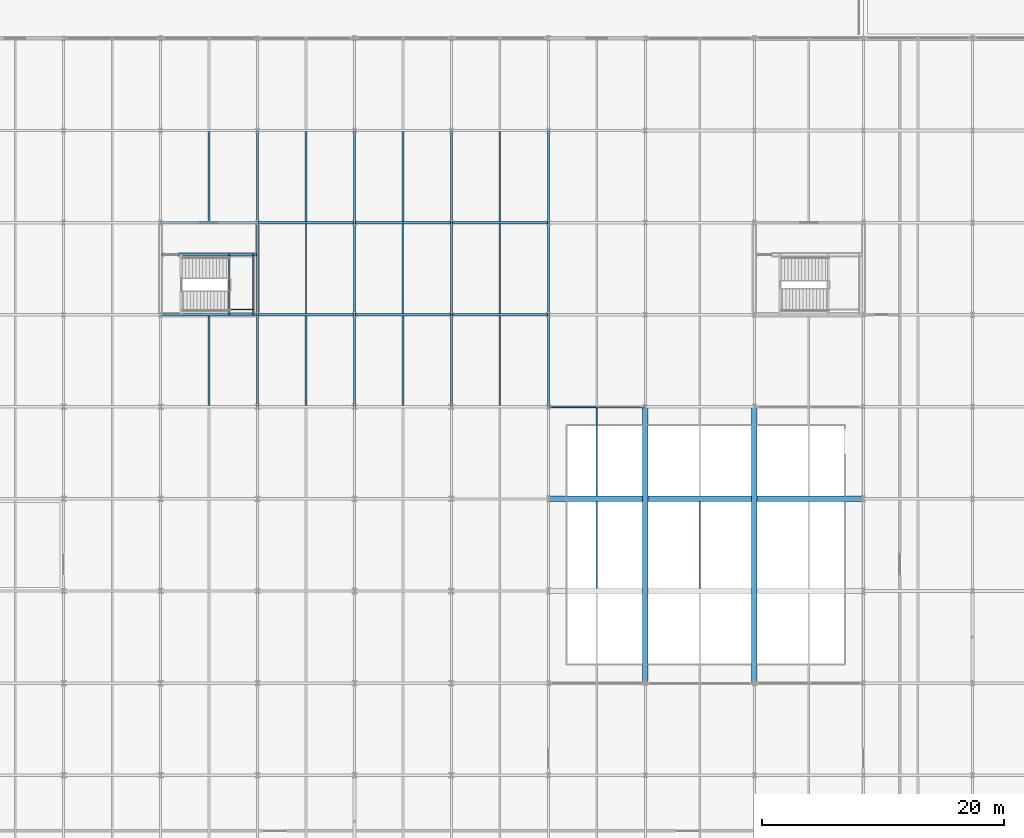
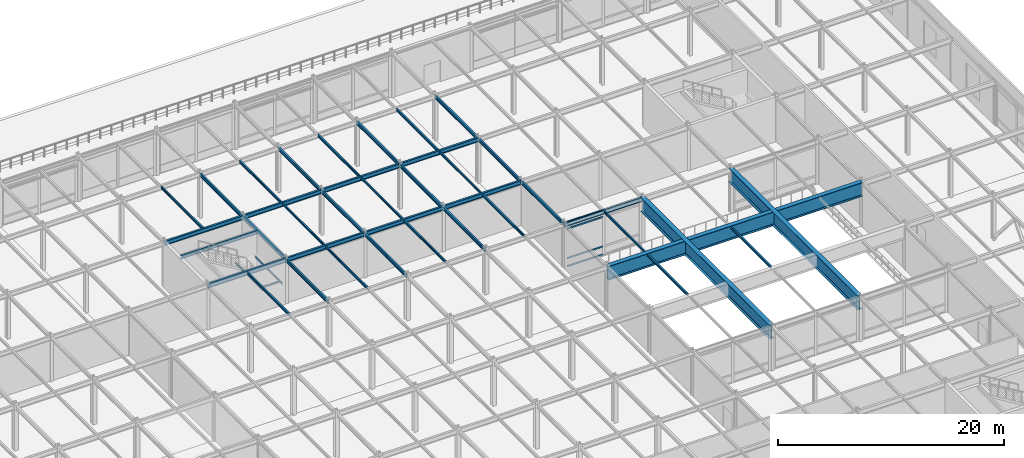
# One storey, part 32 of 79: 42 beams, 4 members, 1 element without a shape of its own.
"""IFC4 building model written with IfcOpenShell, lengths in metres."""

from ifc_helpers import new_model, si_unit, direction, frame, origin, origin_2d, place, context, subcontext, project, spatial, hollow_rectangle, i_section, extrude, material, layer, layer_set, material_profile, profile_set, type_object, element, aggregate, save


model = new_model("IFC4")

# Units and contexts
model_context = context("Model", 3, precision=1e-05, world=origin(), true_north=direction((0.0, 1.0)))
body_context = subcontext(model_context, "Body", "Model", "MODEL_VIEW")
ifc_project = project(units=[si_unit("LENGTHUNIT", "METRE"), si_unit("AREAUNIT", "SQUARE_METRE"), si_unit("VOLUMEUNIT", "CUBIC_METRE"), si_unit("PLANEANGLEUNIT", "RADIAN"), si_unit("MASSUNIT", "GRAM", prefix="KILO")], contexts=[model_context])

# Site, building, storey
site_placement = place(None, origin())
site = spatial("IfcSite", under=ifc_project, at=site_placement, CompositionType="ELEMENT")
building_placement = place(site_placement, origin())
building = spatial("IfcBuilding", under=site, at=building_placement, Name="Shalkamar Park Central Library", CompositionType="ELEMENT")
storey_placement = place(building_placement, frame((0.0, 0.0, 10.5)))
storey = spatial("IfcBuildingStorey", under=building, at=storey_placement, Name="L03", CompositionType="ELEMENT", Elevation=10.5)

# Beams
ifc_material_1 = material(Name="Steel S355", Category="steel")
ifc_material_profile_1 = material_profile(ifc_material_1, i_section(OverallWidth=0.10009765625, OverallDepth=0.199951171875, WebThickness=0.005615234375, FlangeThickness=0.008544921875, FilletRadius=0.011962890625, at=origin_2d()), Name="IPE 200")
ifc_profile_set_1 = profile_set([ifc_material_profile_1], Name="Steel S355")
beam_type_1 = type_object("IfcBeamType", Name="Composite Floor Joist IPE200", PredefinedType="JOIST", material=ifc_profile_set_1)
for number, where, z_axis, x_axis, name in (
    (1, (202.675048828125, 300.800048828125, 2.169921875), (0.0, 1.0, 0.0), (-1.0, 0.0, 0.0), "Stair Half-Landing Beam ST-P7-L03-1"),
    (2, (204.64501953125, 300.800048828125, 2.169921875), (0.0, 1.0, 0.0), (-1.0, 0.0, 0.0), "Stair Half-Landing Beam ST-P7-L03-2"),
):
    element("IfcBeam", number, at=place(storey_placement, frame(where, z_axis=z_axis, x_axis=x_axis)), inside=storey, type_object=beam_type_1, Name=name, PredefinedType="JOIST", context=body_context, shape_type="SweptSolid", body=[
        extrude(i_section(OverallWidth=0.10009765625, OverallDepth=0.199951171875, WebThickness=0.005615234375, FlangeThickness=0.008544921875, FilletRadius=0.011962890625, at=origin_2d()), origin(), (0.0, 0.0, 1.0), 4.949951171875),
    ])
beam_1_placement = place(storey_placement, frame((202.675048828125, 301.22509765625, 2.169921875), z_axis=(1.0, 0.0, 0.0), x_axis=(0.0, 1.0, 0.0)))
element("IfcBeam", 3, at=beam_1_placement, inside=storey, type_object=beam_type_1, Name="Stair Half-Landing Cross Tie ST-P7-L03-3", PredefinedType="JOIST", context=body_context, shape_type="SweptSolid", body=[
    extrude(i_section(OverallWidth=0.10009765625, OverallDepth=0.199951171875, WebThickness=0.005615234375, FlangeThickness=0.008544921875, FilletRadius=0.011962890625, at=origin_2d()), origin(), (0.0, 0.0, 1.0), 1.969970703125),
])
ifc_material_profile_2 = material_profile(ifc_material_1, i_section(OverallWidth=0.1201171875, OverallDepth=0.239990234375, WebThickness=0.006103515625, FlangeThickness=0.009765625, FilletRadius=0.014892578125, at=origin_2d()), Name="IPE 240")
ifc_profile_set_2 = profile_set([ifc_material_profile_2], Name="Steel S355")
beam_type_2 = type_object("IfcBeamType", Name="Composite Floor Joist IPE240", PredefinedType="JOIST", material=ifc_profile_set_2)
for number, where, z_axis, x_axis, name in (
    (4, (209.0, 300.89306640625, 4.719970703125), (0.0, 1.0, 0.0), (-1.0, 0.0, 0.0), "Composite Joist 12/J-1 (L03)"),
    (5, (217.0, 300.89306640625, 4.719970703125), (0.0, 1.0, 0.0), (-1.0, 0.0, 0.0), "Composite Joist 13/J-1 (L03)"),
    (6, (225.0, 300.89306640625, 4.719970703125), (0.0, 1.0, 0.0), (-1.0, 0.0, 0.0), "Composite Joist 14/J-1 (L03)"),
):
    element("IfcBeam", number, at=place(storey_placement, frame(where, z_axis=z_axis, x_axis=x_axis)), inside=storey, type_object=beam_type_2, Name=name, PredefinedType="JOIST", context=body_context, shape_type="SweptSolid", body=[
        extrude(i_section(OverallWidth=0.1201171875, OverallDepth=0.239990234375, WebThickness=0.006103515625, FlangeThickness=0.009765625, FilletRadius=0.014892578125, at=origin_2d()), origin(), (0.0, 0.0, 1.0), 7.413818359375),
    ])
beam_2_placement = place(storey_placement, frame((233.0, 285.822998046875, 4.719970703125), z_axis=(0.0, 1.0, 0.0), x_axis=(-1.0, 0.0, 0.0)))
element("IfcBeam", 7, at=beam_2_placement, inside=storey, type_object=beam_type_2, Name="Composite Joist 15/G-1 (L03)", PredefinedType="JOIST", context=body_context, shape_type="SweptSolid", body=[
    extrude(i_section(OverallWidth=0.1201171875, OverallDepth=0.239990234375, WebThickness=0.006103515625, FlangeThickness=0.009765625, FilletRadius=0.014892578125, at=origin_2d()), origin(), (0.0, 0.0, 1.0), 7.283935546875),
])
ifc_material_profile_3 = material_profile(ifc_material_1, i_section(OverallWidth=0.135009765625, OverallDepth=0.27001953125, WebThickness=0.006591796875, FlangeThickness=0.01025390625, FilletRadius=0.014892578125, at=origin_2d()), Name="IPE 270")
ifc_profile_set_3 = profile_set([ifc_material_profile_3], Name="Steel S355")
beam_type_3 = type_object("IfcBeamType", Name="Composite Floor Joist IPE270", PredefinedType="JOIST", material=ifc_profile_set_3)
beam_3_placement = place(storey_placement, frame((201.0, 293.298095703125, 4.705078125), z_axis=(0.0, 1.0, 0.0), x_axis=(-1.0, 0.0, 0.0)))
element("IfcBeam", 8, at=beam_3_placement, inside=storey, type_object=beam_type_3, Name="Composite Joist 11/H-1 (L03)", PredefinedType="JOIST", context=body_context, shape_type="SweptSolid", body=[
    extrude(i_section(OverallWidth=0.135009765625, OverallDepth=0.27001953125, WebThickness=0.006591796875, FlangeThickness=0.01025390625, FilletRadius=0.014892578125, at=origin_2d()), origin(), (0.0, 0.0, 1.0), 7.408935546875),
])
beam_4_placement = place(storey_placement, frame((201.0, 308.492919921875, 4.705078125), z_axis=(0.0, 1.0, 0.0), x_axis=(-1.0, 0.0, 0.0)))
element("IfcBeam", 9, at=beam_4_placement, inside=storey, type_object=beam_type_3, Name="Composite Joist 11/K-1 (L03)", PredefinedType="JOIST", context=body_context, shape_type="SweptSolid", body=[
    extrude(i_section(OverallWidth=0.135009765625, OverallDepth=0.27001953125, WebThickness=0.006591796875, FlangeThickness=0.01025390625, FilletRadius=0.014892578125, at=origin_2d()), origin(), (0.0, 0.0, 1.0), 7.4140625),
])
beam_5_placement = place(storey_placement, frame((209.0, 293.298095703125, 4.705078125), z_axis=(0.0, 1.0, 0.0), x_axis=(-1.0, 0.0, 0.0)))
element("IfcBeam", 10, at=beam_5_placement, inside=storey, type_object=beam_type_3, Name="Composite Joist 12/H-1 (L03)", PredefinedType="JOIST", context=body_context, shape_type="SweptSolid", body=[
    extrude(i_section(OverallWidth=0.135009765625, OverallDepth=0.27001953125, WebThickness=0.006591796875, FlangeThickness=0.01025390625, FilletRadius=0.014892578125, at=origin_2d()), origin(), (0.0, 0.0, 1.0), 7.408935546875),
])
beam_6_placement = place(storey_placement, frame((209.0, 308.492919921875, 4.705078125), z_axis=(0.0, 1.0, 0.0), x_axis=(-1.0, 0.0, 0.0)))
element("IfcBeam", 11, at=beam_6_placement, inside=storey, type_object=beam_type_3, Name="Composite Joist 12/K-1 (L03)", PredefinedType="JOIST", context=body_context, shape_type="SweptSolid", body=[
    extrude(i_section(OverallWidth=0.135009765625, OverallDepth=0.27001953125, WebThickness=0.006591796875, FlangeThickness=0.01025390625, FilletRadius=0.014892578125, at=origin_2d()), origin(), (0.0, 0.0, 1.0), 7.4140625),
])
beam_7_placement = place(storey_placement, frame((217.0, 293.298095703125, 4.705078125), z_axis=(0.0, 1.0, 0.0), x_axis=(-1.0, 0.0, 0.0)))
element("IfcBeam", 12, at=beam_7_placement, inside=storey, type_object=beam_type_3, Name="Composite Joist 13/H-1 (L03)", PredefinedType="JOIST", context=body_context, shape_type="SweptSolid", body=[
    extrude(i_section(OverallWidth=0.135009765625, OverallDepth=0.27001953125, WebThickness=0.006591796875, FlangeThickness=0.01025390625, FilletRadius=0.014892578125, at=origin_2d()), origin(), (0.0, 0.0, 1.0), 7.408935546875),
])
for number, where, z_axis, x_axis, name in (
    (13, (217.0, 308.492919921875, 4.705078125), (0.0, 1.0, 0.0), (-1.0, 0.0, 0.0), "Composite Joist 13/K-1 (L03)"),
    (14, (225.0, 293.29296875, 4.705078125), (0.0, 1.0, 0.0), (-1.0, 0.0, 0.0), "Composite Joist 14/H-1 (L03)"),
    (15, (225.0, 308.492919921875, 4.705078125), (0.0, 1.0, 0.0), (-1.0, 0.0, 0.0), "Composite Joist 14/K-1 (L03)"),
):
    element("IfcBeam", number, at=place(storey_placement, frame(where, z_axis=z_axis, x_axis=x_axis)), inside=storey, type_object=beam_type_3, Name=name, PredefinedType="JOIST", context=body_context, shape_type="SweptSolid", body=[
        extrude(i_section(OverallWidth=0.135009765625, OverallDepth=0.27001953125, WebThickness=0.006591796875, FlangeThickness=0.01025390625, FilletRadius=0.014892578125, at=origin_2d()), origin(), (0.0, 0.0, 1.0), 7.4140625),
    ])
for number, where, z_axis, x_axis, name in (
    (16, (233.0, 278.222900390625, 4.705078125), (0.0, 1.0, 0.0), (-1.0, 0.0, 0.0), "Composite Joist 15/F-1 (L03)"),
    (17, (241.5, 278.222900390625, 4.705078125), (0.0, 1.0, 0.0), (-1.0, 0.0, 0.0), "Composite Joist 16/F-1 (L03)"),
):
    element("IfcBeam", number, at=place(storey_placement, frame(where, z_axis=z_axis, x_axis=x_axis)), inside=storey, type_object=beam_type_3, Name=name, PredefinedType="JOIST", context=body_context, shape_type="SweptSolid", body=[
        extrude(i_section(OverallWidth=0.135009765625, OverallDepth=0.27001953125, WebThickness=0.006591796875, FlangeThickness=0.01025390625, FilletRadius=0.014892578125, at=origin_2d()), origin(), (0.0, 0.0, 1.0), 7.154052734375),
    ])

# Curtain wall, members
ifc_material_2 = material(Name="Thermally broken aluminium and triple low-e curtain wall", Category="aluminium")
ifc_layer = layer(ifc_material_2, 0.27001953125)
ifc_layer_set = layer_set([ifc_layer], Name="AtriumGlazedScreen_123")
curtain_wall_type = type_object("IfcCurtainWallType", Name="Atrium Glazed Screen 123", PredefinedType="USERDEFINED", material=ifc_layer_set)
curtain_wall_placement = place(storey_placement, origin())
curtain_wall = element("IfcCurtainWall", 18, at=curtain_wall_placement, inside=storey, type_object=curtain_wall_type, Name="Atrium Glazed Screen CW-L03-180", ObjectType="ATRIUM GLAZED SCREEN", PredefinedType="USERDEFINED")
ifc_material_3 = material(Name="Aluminium 6060-T66", Category="aluminium")
ifc_material_profile_4 = material_profile(ifc_material_3, hollow_rectangle(XDim=0.06494140625, YDim=0.175048828125, WallThickness=0.00439453125, InnerFilletRadius=0.00439453125, OuterFilletRadius=0.0068359375, at=origin_2d()), Name="ALU 65x175x4.5")
ifc_profile_set_4 = profile_set([ifc_material_profile_4], Name="Aluminium 6060-T66")
member_type = type_object("IfcMemberType", Name="Curtain Wall Transom ALU65x175", PredefinedType="USERDEFINED", material=ifc_profile_set_4)
member_1_placement = place(storey_placement, frame((229.283935546875, 293.199951171875, 0.032470703125), z_axis=(1.0, 0.0, 0.0), x_axis=(0.0, 1.0, 0.0)))
member_1 = element("IfcMember", 19, at=member_1_placement, type_object=member_type, Name="CW-123 transom 1.1", ObjectType="TRANSOM", PredefinedType="USERDEFINED", context=body_context, shape_type="SweptSolid", body=[
    extrude(hollow_rectangle(XDim=0.06494140625, YDim=0.175048828125, WallThickness=0.00439453125, InnerFilletRadius=0.00439453125, OuterFilletRadius=0.0068359375, at=origin_2d()), origin(), (0.0, 0.0, 1.0), 3.68603515625),
])
member_2_placement = place(storey_placement, frame((229.283935546875, 293.199951171875, 0.89990234375), z_axis=(1.0, 0.0, 0.0), x_axis=(0.0, 1.0, 0.0)))
member_2 = element("IfcMember", 20, at=member_2_placement, type_object=member_type, Name="CW-123 transom 1.2", ObjectType="TRANSOM", PredefinedType="USERDEFINED", context=body_context, shape_type="SweptSolid", body=[
    extrude(hollow_rectangle(XDim=0.06494140625, YDim=0.175048828125, WallThickness=0.00439453125, InnerFilletRadius=0.00439453125, OuterFilletRadius=0.0068359375, at=origin_2d()), origin(), (0.0, 0.0, 1.0), 3.68603515625),
])
member_3_placement = place(storey_placement, frame((229.283935546875, 293.199951171875, 4.090087890625), z_axis=(1.0, 0.0, 0.0), x_axis=(0.0, 1.0, 0.0)))
member_3 = element("IfcMember", 21, at=member_3_placement, type_object=member_type, Name="CW-123 transom 1.3", ObjectType="TRANSOM", PredefinedType="USERDEFINED", context=body_context, shape_type="SweptSolid", body=[
    extrude(hollow_rectangle(XDim=0.06494140625, YDim=0.175048828125, WallThickness=0.00439453125, InnerFilletRadius=0.00439453125, OuterFilletRadius=0.0068359375, at=origin_2d()), origin(), (0.0, 0.0, 1.0), 3.68603515625),
])
member_4_placement = place(storey_placement, frame((229.283935546875, 293.199951171875, 4.8076171875), z_axis=(1.0, 0.0, 0.0), x_axis=(0.0, 1.0, 0.0)))
member_4 = element("IfcMember", 22, at=member_4_placement, type_object=member_type, Name="CW-123 transom 1.4", ObjectType="TRANSOM", PredefinedType="USERDEFINED", context=body_context, shape_type="SweptSolid", body=[
    extrude(hollow_rectangle(XDim=0.06494140625, YDim=0.175048828125, WallThickness=0.00439453125, InnerFilletRadius=0.00439453125, OuterFilletRadius=0.0068359375, at=origin_2d()), origin(), (0.0, 0.0, 1.0), 3.68603515625),
])
aggregate(curtain_wall, [member_1, member_2, member_3, member_4])

# Beams
ifc_material_profile_5 = material_profile(ifc_material_1, i_section(OverallWidth=0.449951171875, OverallDepth=1.5, WebThickness=0.02001953125, FlangeThickness=0.035888671875, FilletRadius=0.02392578125, at=origin_2d()), Name="PG 1500x450")
ifc_profile_set_5 = profile_set([ifc_material_profile_5], Name="Steel S355")
beam_type_4 = type_object("IfcBeamType", Name="Primary Girder HEB900", PredefinedType="BEAM", material=ifc_profile_set_5)
beam_8_placement = place(storey_placement, frame((229.0, 285.60009765625, 4.090087890625), z_axis=(1.0, 0.0, 0.0), x_axis=(0.0, 1.0, 0.0)))
element("IfcBeam", 23, at=beam_8_placement, inside=storey, type_object=beam_type_4, Name="Beam G:15-18 (L03)", PredefinedType="BEAM", context=body_context, shape_type="SweptSolid", body=[
    extrude(i_section(OverallWidth=0.449951171875, OverallDepth=1.5, WebThickness=0.02001953125, FlangeThickness=0.035888671875, FilletRadius=0.02392578125, at=origin_2d()), origin(), (0.0, 0.0, 1.0), 26.0),
])
for number, where, z_axis, x_axis, name in (
    (24, (237.0, 270.39990234375, 4.090087890625), (0.0, 1.0, 0.0), (-1.0, 0.0, 0.0), "Beam 16:E-H (L03)"),
    (25, (246.0, 270.39990234375, 4.090087890625), (0.0, 1.0, 0.0), (-1.0, 0.0, 0.0), "Beam 17:E-H (L03)"),
):
    element("IfcBeam", number, at=place(storey_placement, frame(where, z_axis=z_axis, x_axis=x_axis)), inside=storey, type_object=beam_type_4, Name=name, PredefinedType="BEAM", context=body_context, shape_type="SweptSolid", body=[
        extrude(i_section(OverallWidth=0.449951171875, OverallDepth=1.5, WebThickness=0.02001953125, FlangeThickness=0.035888671875, FilletRadius=0.02392578125, at=origin_2d()), origin(), (0.0, 0.0, 1.0), 22.800048828125),
    ])
ifc_material_profile_6 = material_profile(ifc_material_1, i_section(OverallWidth=0.169921875, OverallDepth=0.360107421875, WebThickness=0.008056640625, FlangeThickness=0.0126953125, FilletRadius=0.01806640625, at=origin_2d()), Name="IPE 360")
ifc_profile_set_6 = profile_set([ifc_material_profile_6], Name="Steel S355")
beam_type_5 = type_object("IfcBeamType", Name="Primary Girder IPE360", PredefinedType="BEAM", material=ifc_profile_set_6)
beam_9_placement = place(storey_placement, frame((205.0, 293.199951171875, 4.659912109375), z_axis=(0.0, 1.0, 0.0), x_axis=(-1.0, 0.0, 0.0)))
element("IfcBeam", 26, at=beam_9_placement, inside=storey, type_object=beam_type_5, Name="Beam 12:H-J (L03)", PredefinedType="BEAM", context=body_context, shape_type="SweptSolid", body=[
    extrude(i_section(OverallWidth=0.169921875, OverallDepth=0.360107421875, WebThickness=0.008056640625, FlangeThickness=0.0126953125, FilletRadius=0.01806640625, at=origin_2d()), origin(), (0.0, 0.0, 1.0), 7.60009765625),
])
beam_10_placement = place(storey_placement, frame((205.0, 300.800048828125, 4.659912109375), z_axis=(0.0, 1.0, 0.0), x_axis=(-1.0, 0.0, 0.0)))
element("IfcBeam", 27, at=beam_10_placement, inside=storey, type_object=beam_type_5, Name="Beam 12:J-K (L03)", PredefinedType="BEAM", context=body_context, shape_type="SweptSolid", body=[
    extrude(i_section(OverallWidth=0.169921875, OverallDepth=0.360107421875, WebThickness=0.008056640625, FlangeThickness=0.0126953125, FilletRadius=0.01806640625, at=origin_2d()), origin(), (0.0, 0.0, 1.0), 7.599853515625),
])
for number, where, z_axis, x_axis, name in (
    (28, (205.0, 308.39990234375, 4.659912109375), (0.0, 1.0, 0.0), (-1.0, 0.0, 0.0), "Beam 12:K-L (L03)"),
    (29, (213.0, 293.199951171875, 4.659912109375), (0.0, 1.0, 0.0), (-1.0, 0.0, 0.0), "Beam 13:H-J (L03)"),
):
    element("IfcBeam", number, at=place(storey_placement, frame(where, z_axis=z_axis, x_axis=x_axis)), inside=storey, type_object=beam_type_5, Name=name, PredefinedType="BEAM", context=body_context, shape_type="SweptSolid", body=[
        extrude(i_section(OverallWidth=0.169921875, OverallDepth=0.360107421875, WebThickness=0.008056640625, FlangeThickness=0.0126953125, FilletRadius=0.01806640625, at=origin_2d()), origin(), (0.0, 0.0, 1.0), 7.60009765625),
    ])
beam_11_placement = place(storey_placement, frame((213.0, 300.800048828125, 4.659912109375), z_axis=(0.0, 1.0, 0.0), x_axis=(-1.0, 0.0, 0.0)))
element("IfcBeam", 30, at=beam_11_placement, inside=storey, type_object=beam_type_5, Name="Beam 13:J-K (L03)", PredefinedType="BEAM", context=body_context, shape_type="SweptSolid", body=[
    extrude(i_section(OverallWidth=0.169921875, OverallDepth=0.360107421875, WebThickness=0.008056640625, FlangeThickness=0.0126953125, FilletRadius=0.01806640625, at=origin_2d()), origin(), (0.0, 0.0, 1.0), 7.599853515625),
])
for number, where, z_axis, x_axis, name in (
    (31, (213.0, 308.39990234375, 4.659912109375), (0.0, 1.0, 0.0), (-1.0, 0.0, 0.0), "Beam 13:K-L (L03)"),
    (32, (221.0, 293.199951171875, 4.659912109375), (0.0, 1.0, 0.0), (-1.0, 0.0, 0.0), "Beam 14:H-J (L03)"),
):
    element("IfcBeam", number, at=place(storey_placement, frame(where, z_axis=z_axis, x_axis=x_axis)), inside=storey, type_object=beam_type_5, Name=name, PredefinedType="BEAM", context=body_context, shape_type="SweptSolid", body=[
        extrude(i_section(OverallWidth=0.169921875, OverallDepth=0.360107421875, WebThickness=0.008056640625, FlangeThickness=0.0126953125, FilletRadius=0.01806640625, at=origin_2d()), origin(), (0.0, 0.0, 1.0), 7.60009765625),
    ])
beam_12_placement = place(storey_placement, frame((221.0, 300.800048828125, 4.659912109375), z_axis=(0.0, 1.0, 0.0), x_axis=(-1.0, 0.0, 0.0)))
element("IfcBeam", 33, at=beam_12_placement, inside=storey, type_object=beam_type_5, Name="Beam 14:J-K (L03)", PredefinedType="BEAM", context=body_context, shape_type="SweptSolid", body=[
    extrude(i_section(OverallWidth=0.169921875, OverallDepth=0.360107421875, WebThickness=0.008056640625, FlangeThickness=0.0126953125, FilletRadius=0.01806640625, at=origin_2d()), origin(), (0.0, 0.0, 1.0), 7.599853515625),
])
for number, where, z_axis, x_axis, name in (
    (34, (221.0, 308.39990234375, 4.659912109375), (0.0, 1.0, 0.0), (-1.0, 0.0, 0.0), "Beam 14:K-L (L03)"),
    (35, (229.0, 293.199951171875, 4.659912109375), (0.0, 1.0, 0.0), (-1.0, 0.0, 0.0), "Beam 15:H-J (L03)"),
):
    element("IfcBeam", number, at=place(storey_placement, frame(where, z_axis=z_axis, x_axis=x_axis)), inside=storey, type_object=beam_type_5, Name=name, PredefinedType="BEAM", context=body_context, shape_type="SweptSolid", body=[
        extrude(i_section(OverallWidth=0.169921875, OverallDepth=0.360107421875, WebThickness=0.008056640625, FlangeThickness=0.0126953125, FilletRadius=0.01806640625, at=origin_2d()), origin(), (0.0, 0.0, 1.0), 7.60009765625),
    ])
beam_13_placement = place(storey_placement, frame((229.0, 300.800048828125, 4.659912109375), z_axis=(0.0, 1.0, 0.0), x_axis=(-1.0, 0.0, 0.0)))
element("IfcBeam", 36, at=beam_13_placement, inside=storey, type_object=beam_type_5, Name="Beam 15:J-K (L03)", PredefinedType="BEAM", context=body_context, shape_type="SweptSolid", body=[
    extrude(i_section(OverallWidth=0.169921875, OverallDepth=0.360107421875, WebThickness=0.008056640625, FlangeThickness=0.0126953125, FilletRadius=0.01806640625, at=origin_2d()), origin(), (0.0, 0.0, 1.0), 7.599853515625),
])
beam_14_placement = place(storey_placement, frame((229.0, 308.39990234375, 4.659912109375), z_axis=(0.0, 1.0, 0.0), x_axis=(-1.0, 0.0, 0.0)))
element("IfcBeam", 37, at=beam_14_placement, inside=storey, type_object=beam_type_5, Name="Beam 15:K-L (L03)", PredefinedType="BEAM", context=body_context, shape_type="SweptSolid", body=[
    extrude(i_section(OverallWidth=0.169921875, OverallDepth=0.360107421875, WebThickness=0.008056640625, FlangeThickness=0.0126953125, FilletRadius=0.01806640625, at=origin_2d()), origin(), (0.0, 0.0, 1.0), 7.60009765625),
])
beam_15_placement = place(storey_placement, frame((197.087890625, 305.75, 4.659912109375), z_axis=(1.0, 0.0, 0.0), x_axis=(0.0, 1.0, 0.0)))
element("IfcBeam", 38, at=beam_15_placement, inside=storey, type_object=beam_type_5, Name="CORE-P7 Stairwell Divider Beam (L03)", PredefinedType="BEAM", context=body_context, shape_type="SweptSolid", body=[
    extrude(i_section(OverallWidth=0.169921875, OverallDepth=0.360107421875, WebThickness=0.008056640625, FlangeThickness=0.0126953125, FilletRadius=0.01806640625, at=origin_2d()), origin(), (0.0, 0.0, 1.0), 7.82421875),
])
ifc_material_profile_7 = material_profile(ifc_material_1, i_section(OverallWidth=0.18994140625, OverallDepth=0.449951171875, WebThickness=0.009521484375, FlangeThickness=0.0146484375, FilletRadius=0.02099609375, at=origin_2d()), Name="IPE 450")
ifc_profile_set_7 = profile_set([ifc_material_profile_7], Name="Steel S355")
beam_type_6 = type_object("IfcBeamType", Name="Primary Girder IPE450", PredefinedType="BEAM", material=ifc_profile_set_7)
for number, where, z_axis, x_axis, name in (
    (39, (229.0, 293.199951171875, 4.614990234375), (1.0, 0.0, 0.0), (0.0, 1.0, 0.0), "Beam H:15-16 (L03)"),
    (40, (197.0, 300.800048828125, 4.614990234375), (1.0, 0.0, 0.0), (0.0, 1.0, 0.0), "Beam J:11-12 (L03)"),
    (41, (205.0, 300.800048828125, 4.614990234375), (1.0, 0.0, 0.0), (0.0, 1.0, 0.0), "Beam J:12-13 (L03)"),
    (42, (213.0, 300.800048828125, 4.614990234375), (1.0, 0.0, 0.0), (0.0, 1.0, 0.0), "Beam J:13-14 (L03)"),
    (43, (221.0, 300.800048828125, 4.614990234375), (1.0, 0.0, 0.0), (0.0, 1.0, 0.0), "Beam J:14-15 (L03)"),
    (44, (197.0, 308.39990234375, 4.614990234375), (1.0, 0.0, 0.0), (0.0, 1.0, 0.0), "Beam K:11-12 (L03)"),
    (45, (205.0, 308.39990234375, 4.614990234375), (1.0, 0.0, 0.0), (0.0, 1.0, 0.0), "Beam K:12-13 (L03)"),
    (46, (213.0, 308.39990234375, 4.614990234375), (1.0, 0.0, 0.0), (0.0, 1.0, 0.0), "Beam K:13-14 (L03)"),
    (47, (221.0, 308.39990234375, 4.614990234375), (1.0, 0.0, 0.0), (0.0, 1.0, 0.0), "Beam K:14-15 (L03)"),
):
    element("IfcBeam", number, at=place(storey_placement, frame(where, z_axis=z_axis, x_axis=x_axis)), inside=storey, type_object=beam_type_6, Name=name, PredefinedType="BEAM", context=body_context, shape_type="SweptSolid", body=[
        extrude(i_section(OverallWidth=0.18994140625, OverallDepth=0.449951171875, WebThickness=0.009521484375, FlangeThickness=0.0146484375, FilletRadius=0.02099609375, at=origin_2d()), origin(), (0.0, 0.0, 1.0), 8.0),
    ])

save(model, "model.ifc")
